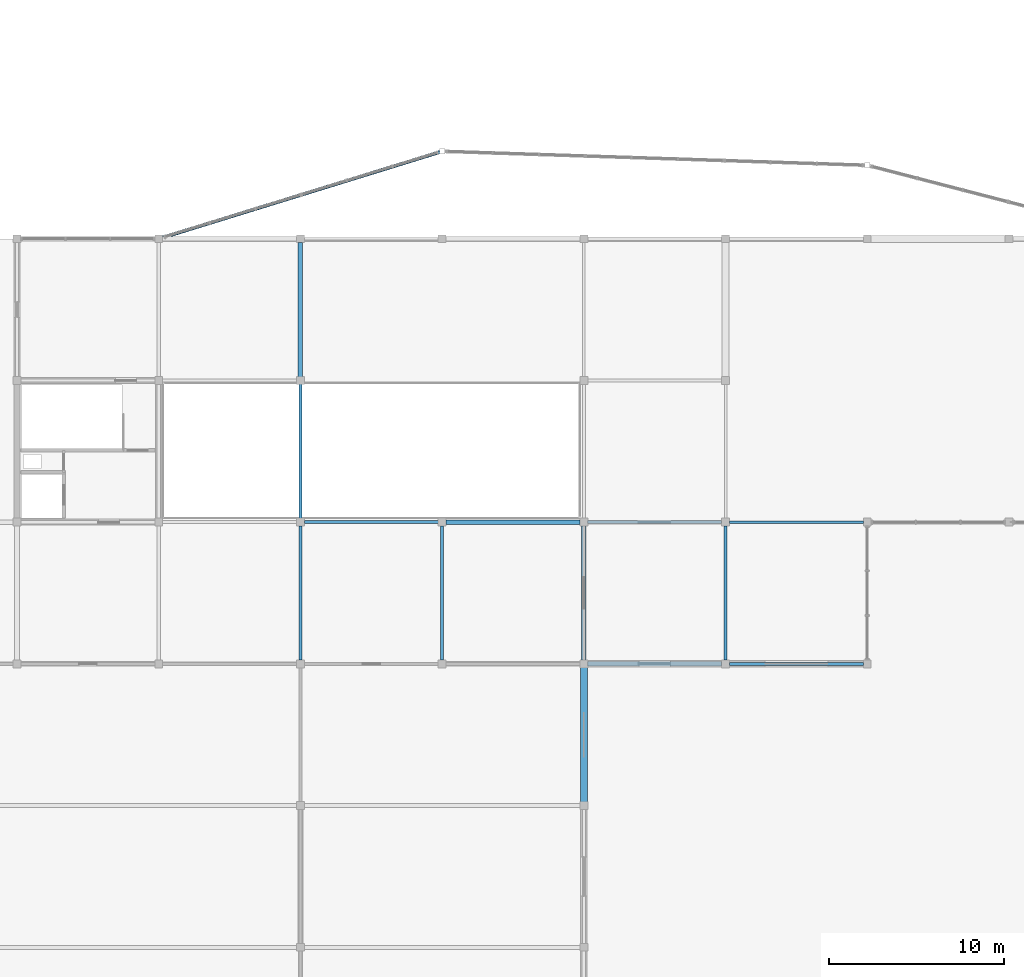
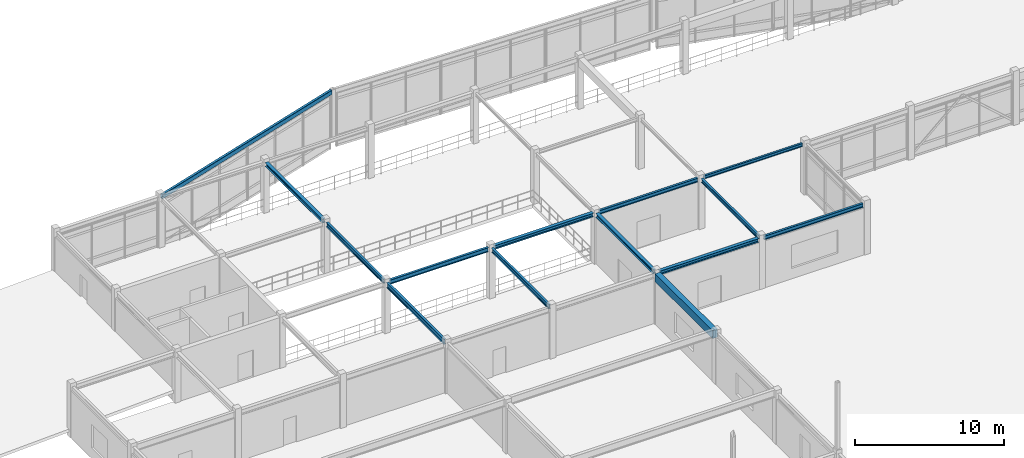
# One storey, part 25 of 89: 14 beams.
"""IFC4 building model written with IfcOpenShell, lengths in metres."""

from ifc_helpers import new_model, si_unit, direction, frame, origin, origin_2d, place, context, subcontext, project, spatial, rectangle, hollow_rectangle, i_section, extrude, material, material_profile, profile_set, type_object, element, save


model = new_model("IFC4")

# Units and contexts
model_context = context("Model", 3, precision=1e-05, world=origin(), true_north=direction((0.0, 1.0)))
body_context = subcontext(model_context, "Body", "Model", "MODEL_VIEW")
ifc_project = project(units=[si_unit("LENGTHUNIT", "METRE"), si_unit("AREAUNIT", "SQUARE_METRE"), si_unit("VOLUMEUNIT", "CUBIC_METRE"), si_unit("PLANEANGLEUNIT", "RADIAN"), si_unit("MASSUNIT", "GRAM", prefix="KILO")], contexts=[model_context])

# Site, building, storey
site_placement = place(None, origin())
site = spatial("IfcSite", under=ifc_project, at=site_placement, CompositionType="ELEMENT")
building_placement = place(site_placement, origin())
building = spatial("IfcBuilding", under=site, at=building_placement, Name="Vaudrelin Polytechnic", CompositionType="ELEMENT")
storey_placement = place(building_placement, frame((0.0, 0.0, 9.68994140625)))
storey = spatial("IfcBuildingStorey", under=building, at=storey_placement, Name="L02", CompositionType="ELEMENT", Elevation=9.68994140625)

# Beams
ifc_material_1 = material(Name="Steel CSA G40.21 350W", Category="steel")
ifc_material_profile_1 = material_profile(ifc_material_1, i_section(OverallWidth=0.178955078125, OverallDepth=0.409912109375, WebThickness=0.0087890625, FlangeThickness=0.014404296875, FilletRadius=0.01611328125, at=origin_2d()), Name="W410x67")
ifc_profile_set_1 = profile_set([ifc_material_profile_1], Name="Steel CSA G40.21 350W")
beam_type_1 = type_object("IfcBeamType", Name="BM-BM-W410", PredefinedType="BEAM", material=ifc_profile_set_1)
beam_1_placement = place(storey_placement, frame((64.800048828125, 24.510009765625, 3.93505859375), z_axis=(0.0, 1.0, 0.0), x_axis=(-1.0, 0.0, 0.0)))
element("IfcBeam", 1, at=beam_1_placement, inside=storey, type_object=beam_type_1, Name="L02 Y-beam 9-4", PredefinedType="BEAM", context=body_context, shape_type="SweptSolid", body=[
    extrude(i_section(OverallWidth=0.178955078125, OverallDepth=0.409912109375, WebThickness=0.0087890625, FlangeThickness=0.014404296875, FilletRadius=0.01611328125, at=origin_2d()), origin(), (0.0, 0.0, 1.0), 7.679931640625),
])
ifc_material_profile_2 = material_profile(ifc_material_1, i_section(OverallWidth=0.14794921875, OverallDepth=0.26611328125, WebThickness=0.007568359375, FlangeThickness=0.012939453125, FilletRadius=0.012939453125, at=origin_2d()), Name="W250x45")
ifc_profile_set_2 = profile_set([ifc_material_profile_2], Name="Steel CSA G40.21 350W")
beam_type_2 = type_object("IfcBeamType", Name="BM-JS-W250", PredefinedType="JOIST", material=ifc_profile_set_2)
beam_2_placement = place(storey_placement, frame((89.321044921875, 32.39990234375, 4.007080078125), z_axis=(1.0, 0.0, 0.0), x_axis=(0.0, 1.0, 0.0)))
element("IfcBeam", 2, at=beam_2_placement, inside=storey, type_object=beam_type_2, Name="L02 X-beam 12-5", PredefinedType="JOIST", context=body_context, shape_type="SweptSolid", body=[
    extrude(i_section(OverallWidth=0.14794921875, OverallDepth=0.26611328125, WebThickness=0.007568359375, FlangeThickness=0.012939453125, FilletRadius=0.012939453125, at=origin_2d()), origin(), (0.0, 0.0, 1.0), 7.657958984375),
])
ifc_material_profile_3 = material_profile(ifc_material_1, i_section(OverallWidth=0.1669921875, OverallDepth=0.31689453125, WebThickness=0.007568359375, FlangeThickness=0.01318359375, FilletRadius=0.013916015625, at=origin_2d()), Name="W310x52")
ifc_profile_set_3 = profile_set([ifc_material_profile_3], Name="Steel CSA G40.21 350W")
beam_type_3 = type_object("IfcBeamType", Name="BM-JS-W310", PredefinedType="JOIST", material=ifc_profile_set_3)
beam_3_placement = place(storey_placement, frame((89.10009765625, 24.510009765625, 3.9814453125), z_axis=(0.0, 1.0, 0.0), x_axis=(-1.0, 0.0, 0.0)))
element("IfcBeam", 3, at=beam_3_placement, inside=storey, type_object=beam_type_3, Name="L02 Y-beam 12-4", PredefinedType="JOIST", context=body_context, shape_type="SweptSolid", body=[
    extrude(i_section(OverallWidth=0.1669921875, OverallDepth=0.31689453125, WebThickness=0.007568359375, FlangeThickness=0.01318359375, FilletRadius=0.013916015625, at=origin_2d()), origin(), (0.0, 0.0, 1.0), 7.679931640625),
])
for number, where, z_axis, x_axis, name in (
    (4, (81.220947265625, 32.39990234375, 3.9814453125), (1.0, 0.0, 0.0), (0.0, 1.0, 0.0), "L02 X-beam 11-5"),
    (5, (89.321044921875, 24.300048828125, 3.9814453125), (1.0, 0.0, 0.0), (0.0, 1.0, 0.0), "L02 X-beam 12-4"),
):
    element("IfcBeam", number, at=place(storey_placement, frame(where, z_axis=z_axis, x_axis=x_axis)), inside=storey, type_object=beam_type_3, Name=name, PredefinedType="JOIST", context=body_context, shape_type="SweptSolid", body=[
        extrude(i_section(OverallWidth=0.1669921875, OverallDepth=0.31689453125, WebThickness=0.007568359375, FlangeThickness=0.01318359375, FilletRadius=0.013916015625, at=origin_2d()), origin(), (0.0, 0.0, 1.0), 7.657958984375),
    ])
ifc_material_2 = material(Name="Steel CSA G40.21 350WT", Category="steel")
ifc_material_profile_4 = material_profile(ifc_material_2, i_section(OverallWidth=0.25390625, OverallDepth=0.305908203125, WebThickness=0.0087890625, FlangeThickness=0.0146484375, FilletRadius=0.01611328125, at=origin_2d()), Name="W310x79")
ifc_profile_set_4 = profile_set([ifc_material_profile_4], Name="Steel CSA G40.21 350WT")
beam_type_4 = type_object("IfcBeamType", Name="BM-JS-W310H", PredefinedType="SPANDREL", material=ifc_profile_set_4)
for number, where, z_axis, x_axis, name in (
    (6, (64.800048828125, 40.7099609375, 3.987060546875), (0.0, 1.0, 0.0), (-1.0, 0.0, 0.0), "L02 Y-beam 9-6"),
    (7, (81.0, 24.510009765625, 3.987060546875), (0.0, 1.0, 0.0), (-1.0, 0.0, 0.0), "L02 Y-beam 11-4"),
):
    element("IfcBeam", number, at=place(storey_placement, frame(where, z_axis=z_axis, x_axis=x_axis)), inside=storey, type_object=beam_type_4, Name=name, PredefinedType="SPANDREL", context=body_context, shape_type="SweptSolid", body=[
        extrude(i_section(OverallWidth=0.25390625, OverallDepth=0.305908203125, WebThickness=0.0087890625, FlangeThickness=0.0146484375, FilletRadius=0.01611328125, at=origin_2d()), origin(), (0.0, 0.0, 1.0), 7.679931640625),
    ])
for number, where, z_axis, x_axis, name in (
    (8, (73.12109375, 32.39990234375, 3.987060546875), (1.0, 0.0, 0.0), (0.0, 1.0, 0.0), "L02 X-beam 10-5"),
    (9, (81.220947265625, 24.300048828125, 3.987060546875), (1.0, 0.0, 0.0), (0.0, 1.0, 0.0), "L02 X-beam 11-4"),
):
    element("IfcBeam", number, at=place(storey_placement, frame(where, z_axis=z_axis, x_axis=x_axis)), inside=storey, type_object=beam_type_4, Name=name, PredefinedType="SPANDREL", context=body_context, shape_type="SweptSolid", body=[
        extrude(i_section(OverallWidth=0.25390625, OverallDepth=0.305908203125, WebThickness=0.0087890625, FlangeThickness=0.0146484375, FilletRadius=0.01611328125, at=origin_2d()), origin(), (0.0, 0.0, 1.0), 7.657958984375),
    ])
ifc_material_profile_5 = material_profile(ifc_material_1, i_section(OverallWidth=0.172119140625, OverallDepth=0.35791015625, WebThickness=0.0078125, FlangeThickness=0.01318359375, FilletRadius=0.014892578125, at=origin_2d()), Name="W360x57")
ifc_profile_set_5 = profile_set([ifc_material_profile_5], Name="Steel CSA G40.21 350W")
beam_type_5 = type_object("IfcBeamType", Name="BM-JS-W360", PredefinedType="JOIST", material=ifc_profile_set_5)
for number, where, z_axis, x_axis, name in (
    (10, (64.800048828125, 32.610107421875, 3.9609375), (0.0, 1.0, 0.0), (-1.0, 0.0, 0.0), "L02 Y-beam 9-5"),
    (11, (72.89990234375, 24.510009765625, 3.9609375), (0.0, 1.0, 0.0), (-1.0, 0.0, 0.0), "L02 Y-beam 10-4"),
):
    element("IfcBeam", number, at=place(storey_placement, frame(where, z_axis=z_axis, x_axis=x_axis)), inside=storey, type_object=beam_type_5, Name=name, PredefinedType="JOIST", context=body_context, shape_type="SweptSolid", body=[
        extrude(i_section(OverallWidth=0.172119140625, OverallDepth=0.35791015625, WebThickness=0.0078125, FlangeThickness=0.01318359375, FilletRadius=0.014892578125, at=origin_2d()), origin(), (0.0, 0.0, 1.0), 7.679931640625),
    ])
beam_4_placement = place(storey_placement, frame((65.02099609375, 32.39990234375, 3.9609375), z_axis=(1.0, 0.0, 0.0), x_axis=(0.0, 1.0, 0.0)))
element("IfcBeam", 12, at=beam_4_placement, inside=storey, type_object=beam_type_5, Name="L02 X-beam 9-5", PredefinedType="JOIST", context=body_context, shape_type="SweptSolid", body=[
    extrude(i_section(OverallWidth=0.172119140625, OverallDepth=0.35791015625, WebThickness=0.0078125, FlangeThickness=0.01318359375, FilletRadius=0.014892578125, at=origin_2d()), origin(), (0.0, 0.0, 1.0), 7.657958984375),
])
ifc_material_profile_6 = material_profile(ifc_material_2, hollow_rectangle(XDim=0.202880859375, YDim=0.35595703125, WallThickness=0.0126953125, InnerFilletRadius=0.0126953125, OuterFilletRadius=0.025390625, at=origin_2d()), Name="HSS356x203x12.7")
ifc_profile_set_6 = profile_set([ifc_material_profile_6], Name="Steel CSA G40.21 350WT")
beam_type_6 = type_object("IfcBeamType", Name="BM-SP-HSS35", PredefinedType="SPANDREL", material=ifc_profile_set_6)
beam_5_placement = place(storey_placement, frame((56.833740234375, 48.641357421875, 3.962158203125), z_axis=(0.955526338589, 0.294905775227, 0.0), x_axis=(-0.294905775227, 0.955526338589, 0.0)))
element("IfcBeam", 13, at=beam_5_placement, inside=storey, type_object=beam_type_6, Name="Sculptural edge beam L02 CT_OR1_B1", PredefinedType="SPANDREL", context=body_context, shape_type="SweptSolid", body=[
    extrude(hollow_rectangle(XDim=0.202880859375, YDim=0.35595703125, WallThickness=0.0126953125, InnerFilletRadius=0.0126953125, OuterFilletRadius=0.025390625, at=origin_2d()), origin(), (0.0, 0.0, 1.0), 16.673828125),
])
ifc_material_3 = material(Name="Concrete 40 MPa", Category="concrete")
ifc_material_profile_7 = material_profile(ifc_material_3, rectangle(XDim=0.39990234375, YDim=0.64990234375, at=origin_2d()), Name="RC400x650")
ifc_profile_set_7 = profile_set([ifc_material_profile_7], Name="Concrete 40 MPa")
beam_type_7 = type_object("IfcBeamType", Name="BM-SP-RC4065", PredefinedType="SPANDREL", material=ifc_profile_set_7)
beam_6_placement = place(storey_placement, frame((81.0, 16.409912109375, 3.81494140625), z_axis=(0.0, 1.0, 0.0), x_axis=(-1.0, 0.0, 0.0)))
element("IfcBeam", 14, at=beam_6_placement, inside=storey, type_object=beam_type_7, Name="L02 Y-beam 11-3", PredefinedType="SPANDREL", context=body_context, shape_type="SweptSolid", body=[
    extrude(rectangle(XDim=0.39990234375, YDim=0.64990234375, at=origin_2d()), origin(), (0.0, 0.0, 1.0), 7.68017578125),
])

save(model, "model.ifc")
